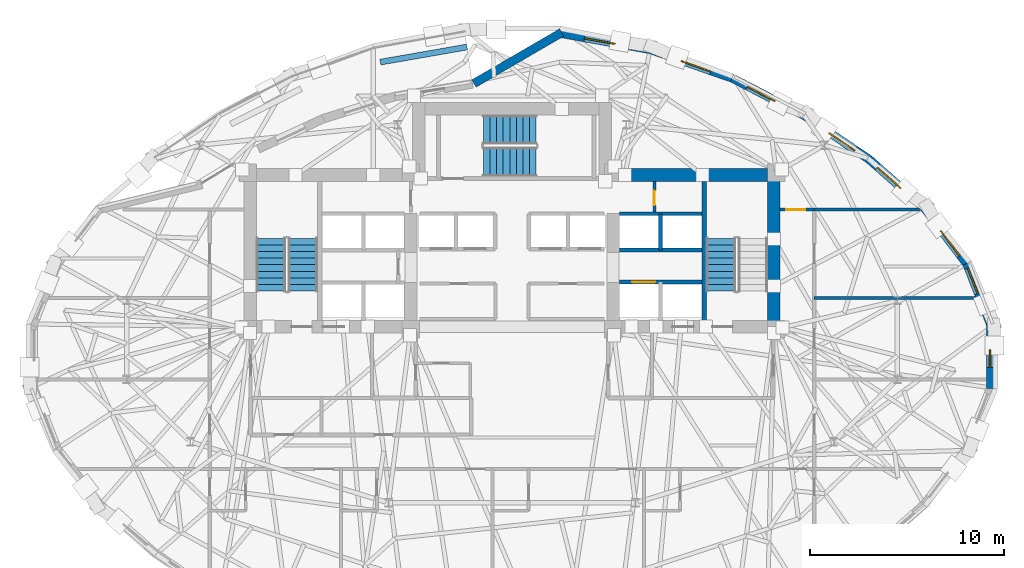
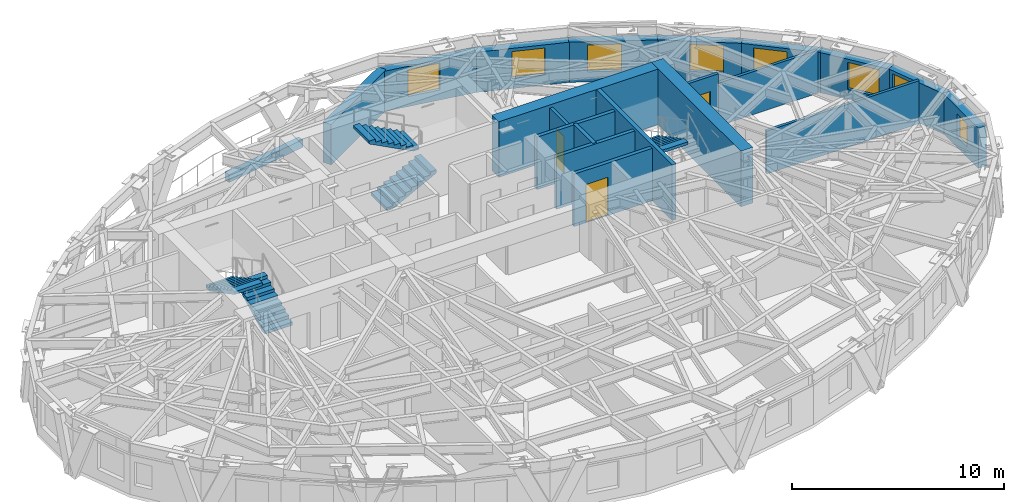
# One storey, part 10 of 14: 21 walls, 8 windows, 5 stair flights, 3 doors, 11 openings, 3 elements without a shape of their own.
"""IFC4 building model written with IfcOpenShell, lengths in metres."""

import ifcopenshell
import ifcopenshell.guid

model = None  # the IFC model being written
_history = None  # IfcOwnerHistory: only IFC2X3 demands one
_inside = {}  # id of a spatial element -> (the spatial element, [elements in it])
_under = {}  # id of a project, library or spatial element -> (it, [spatial elements below it])
_declared = {}  # id of a project -> (the project, [libraries it declares])
_typed = {}  # id of a type object -> (the type object, [elements of that type])
_made_of = {}  # id of a material, layer set ... -> (it, [elements and type objects made of it])


def new_model(schema):
    """Start an empty IFC model of exactly this schema.

    Asked for "IFC4X3", IfcOpenShell would pick the latest addendum, in which some entities
    have other attributes; the version numbers below select the first issue.
    IFC2X3 requires an IfcOwnerHistory on every rooted entity: one is made here for all.
    """
    global model, _history
    if schema == "IFC4X3":
        model = ifcopenshell.file(schema_version=(4, 3, 0, 0))
    else:
        model = ifcopenshell.file(schema=schema)
    _inside.clear()
    _under.clear()
    _declared.clear()
    _typed.clear()
    _made_of.clear()
    _history = None
    if model.schema == "IFC2X3":
        org = make("IfcOrganization", Name="unknown")
        user = make(
            "IfcPersonAndOrganization",
            ThePerson=make("IfcPerson", FamilyName="unknown"),
            TheOrganization=org,
        )
        app = make(
            "IfcApplication",
            ApplicationDeveloper=org,
            Version="unknown",
            ApplicationFullName="unknown",
            ApplicationIdentifier="unknown",
        )
        _history = make(
            "IfcOwnerHistory",
            OwningUser=user,
            OwningApplication=app,
            ChangeAction="ADDED",
            CreationDate=0,
        )
    return model


def make(cls, **values):
    """One entity of the class cls with the attributes given. An attribute that is None is left unset."""
    return model.create_entity(
        cls, **{name: value for name, value in values.items() if value is not None}
    )


def rooted(cls, **values):
    """An entity with a GlobalId (a new one), such as an element, a storey or a relation."""
    return make(cls, GlobalId=ifcopenshell.guid.new(), OwnerHistory=_history, **values)


def si_unit(unit_type, name, prefix=None):
    """IfcSIUnit, for example si_unit("LENGTHUNIT", "METRE", prefix="MILLI")."""
    return make("IfcSIUnit", UnitType=unit_type, Prefix=prefix, Name=name)


def assignment(units):
    """IfcUnitAssignment: the units of a project."""
    return None if units is None else make("IfcUnitAssignment", Units=units)


def point(xyz):
    """IfcCartesianPoint."""
    return None if xyz is None else make("IfcCartesianPoint", Coordinates=xyz)


def direction(xyz):
    """IfcDirection."""
    return None if xyz is None else make("IfcDirection", DirectionRatios=xyz)


def frame(location, z_axis=None, x_axis=None):
    """IfcAxis2Placement3D, a coordinate frame: its origin and axes. An axis left out is left unset."""
    return make(
        "IfcAxis2Placement3D",
        Location=point(location),
        Axis=direction(z_axis),
        RefDirection=direction(x_axis),
    )


def frame_2d(location, x_axis=None):
    """IfcAxis2Placement2D, a coordinate frame in the plane: its origin and x axis."""
    return make(
        "IfcAxis2Placement2D", Location=point(location), RefDirection=direction(x_axis)
    )


def origin():
    """The frame at (0, 0, 0) with its axes left unset."""
    return frame((0.0, 0.0, 0.0))


def place(relative_to, where):
    """IfcLocalPlacement: puts the frame where relative to a parent placement (None: the world)."""
    return make(
        "IfcLocalPlacement", PlacementRelTo=relative_to, RelativePlacement=where
    )


def context(
    kind, dimensions, precision=None, world=None, true_north=None, identifier=None
):
    """IfcGeometricRepresentationContext, for example the 3D "Model" context."""
    return make(
        "IfcGeometricRepresentationContext",
        ContextIdentifier=identifier,
        ContextType=kind,
        CoordinateSpaceDimension=dimensions,
        Precision=precision,
        WorldCoordinateSystem=world,
        TrueNorth=true_north,
    )


def subcontext(parent, identifier, kind, view, scale=None):
    """IfcGeometricRepresentationSubContext, for example "Body" below "Model"."""
    return make(
        "IfcGeometricRepresentationSubContext",
        ContextIdentifier=identifier,
        ContextType=kind,
        ParentContext=parent,
        TargetScale=scale,
        TargetView=view,
    )


def project(units=None, contexts=None):
    """IfcProject with its units and contexts."""
    return rooted(
        "IfcProject",
        Name="project",
        RepresentationContexts=contexts,
        UnitsInContext=assignment(units),
    )


def spatial(cls, under=None, at=None, **own):
    """A site, building, storey or space (cls), placed at a placement, below another one or the project."""
    s = rooted(cls, ObjectPlacement=at, **own)
    if under is not None:
        _under.setdefault(under.id(), (under, []))[1].append(s)
    return s


def polyline(points):
    """IfcPolyline through the points."""
    return make("IfcPolyline", Points=[point(p) for p in points])


def profile(cls, at=None, kind="AREA", **sizes):
    """A parametric profile (cls). Its sizes go by their IFC names, for example OverallWidth=200.0."""
    return make(cls, ProfileType=kind, Position=at, **sizes)


def rectangle(**sizes):
    """IfcRectangleProfileDef."""
    return profile("IfcRectangleProfileDef", **sizes)


def outline(outer, holes=None, kind="AREA"):
    """IfcArbitraryClosedProfileDef: a profile drawn as a closed curve; with holes, ...WithVoids."""
    if holes is None:
        return make("IfcArbitraryClosedProfileDef", ProfileType=kind, OuterCurve=outer)
    return make(
        "IfcArbitraryProfileDefWithVoids",
        ProfileType=kind,
        OuterCurve=outer,
        InnerCurves=holes,
    )


def extrude(swept, where, along, depth):
    """IfcExtrudedAreaSolid: the profile swept, set in the frame where, extruded along a direction by depth."""
    return make(
        "IfcExtrudedAreaSolid",
        SweptArea=swept,
        Position=where,
        ExtrudedDirection=direction(along),
        Depth=depth,
    )


def shape(context_of_items, identifier, shape_type, items):
    """IfcShapeRepresentation: the items that make up one representation, for example the "Body"."""
    return make(
        "IfcShapeRepresentation",
        ContextOfItems=context_of_items,
        RepresentationIdentifier=identifier,
        RepresentationType=shape_type,
        Items=items,
    )


def material(Name=None, Category=None):
    """IfcMaterial."""
    return make("IfcMaterial", Name=Name, Category=Category)


def layer(
    of_material, thickness, ventilated=None, Name=None, Category=None, Priority=None
):
    """IfcMaterialLayer: one layer of a wall or slab, of a material (None: an air gap)."""
    return make(
        "IfcMaterialLayer",
        Material=of_material,
        LayerThickness=thickness,
        IsVentilated=ventilated,
        Name=Name,
        Category=Category,
        Priority=Priority,
    )


def layer_set(layers, Name=None):
    """IfcMaterialLayerSet."""
    return make("IfcMaterialLayerSet", MaterialLayers=layers, LayerSetName=Name)


def made_of(thing, what):
    """Note that an element or type object is made of a material, layer set ...; save() writes the relation."""
    if what is not None:
        _made_of.setdefault(what.id(), (what, []))[1].append(thing)
    return thing


def type_object(cls, material=None, **own):
    """A type object (cls), such as IfcWallType, which elements share."""
    return made_of(rooted(cls, **own), material)


def element(
    cls,
    number,
    at=None,
    inside=None,
    cuts=None,
    type_object=None,
    material=None,
    context=None,
    identifier="Body",
    shape_type=None,
    held_by="IfcProductDefinitionShape",
    body=None,
    shapes=None,
    **own,
):
    """One element of the class cls, such as IfcWall. Its Tag is "e" and its number.

    at: its placement. inside: the storey or other place that contains it. cuts: it is an
    opening in that element (IfcRelVoidsElement). A single representation is given by context,
    identifier, shape_type and body (its items); several are given by shapes. held_by: the class
    of the entity that holds the representations. save() writes the other relations.
    """
    e = rooted(cls, Tag="e%d" % number, ObjectPlacement=at, **own)
    if body is not None:
        shapes = [shape(context, identifier, shape_type, body)]
    if shapes is not None:
        e.Representation = make(held_by, Representations=shapes)
    if inside is not None:
        _inside.setdefault(inside.id(), (inside, []))[1].append(e)
    if cuts is not None:
        rooted(
            "IfcRelVoidsElement", RelatingBuildingElement=cuts, RelatedOpeningElement=e
        )
    if type_object is not None:
        _typed.setdefault(type_object.id(), (type_object, []))[1].append(e)
    return made_of(e, material)


def fill(opening, filler):
    """IfcRelFillsElement: the door or window that sits in an opening."""
    return rooted(
        "IfcRelFillsElement",
        RelatingOpeningElement=opening,
        RelatedBuildingElement=filler,
    )


def aggregate(whole, parts):
    """IfcRelAggregates: a whole, such as a stair, and the parts it consists of."""
    return rooted("IfcRelAggregates", RelatingObject=whole, RelatedObjects=parts)


def save(model, path):
    """Write the relations noted so far, then the file.

    IfcRelAggregates (storeys below a building ...), IfcRelContainedInSpatialStructure (elements
    in a storey), IfcRelDefinesByType, IfcRelAssociatesMaterial and IfcRelDeclares: one each for
    every whole, place, type object, material and project.
    """
    for whole, parts in _under.values():
        aggregate(whole, parts)
    for where, things in _inside.values():
        rooted(
            "IfcRelContainedInSpatialStructure",
            RelatedElements=things,
            RelatingStructure=where,
        )
    for kind, things in _typed.values():
        rooted("IfcRelDefinesByType", RelatedObjects=things, RelatingType=kind)
    for what, things in _made_of.values():
        rooted("IfcRelAssociatesMaterial", RelatedObjects=things, RelatingMaterial=what)
    for by, libraries in _declared.values():
        rooted("IfcRelDeclares", RelatingContext=by, RelatedDefinitions=libraries)
    model.write(path)


model = new_model("IFC4")

# Units and contexts
model_context = context("Model", 3, precision=1e-05, world=origin(), true_north=direction((0.0, 1.0)))
body_context = subcontext(model_context, "Body", "Model", "MODEL_VIEW")
ifc_project = project(units=[si_unit("LENGTHUNIT", "METRE"), si_unit("AREAUNIT", "SQUARE_METRE"), si_unit("VOLUMEUNIT", "CUBIC_METRE"), si_unit("PLANEANGLEUNIT", "RADIAN"), si_unit("MASSUNIT", "GRAM", prefix="KILO")], contexts=[model_context])

# Site, building, storey
site_placement = place(None, origin())
site = spatial("IfcSite", under=ifc_project, at=site_placement, CompositionType="ELEMENT")
building_placement = place(site_placement, origin())
building = spatial("IfcBuilding", under=site, at=building_placement, Name="Keldmark Tower", CompositionType="ELEMENT")
storey_placement = place(building_placement, frame((0.0, 0.0, 175.800048828125)))
storey = spatial("IfcBuildingStorey", under=building, at=storey_placement, Name="L48", CompositionType="ELEMENT", Elevation=175.800048828125)

# Wall, opening, door
ifc_material_1 = material(Name="Type X Fire-Rated Gypsum Partition Assembly", Category="gypsum")
ifc_layer_1 = layer(ifc_material_1, 0.1650390625)
ifc_layer_set_1 = layer_set([ifc_layer_1], Name="Type X Fire-Rated Gypsum Partition Assembly")
wall_type_1 = type_object("IfcWallType", Name="Rated Partition 165 mm", PredefinedType="PARTITIONING", material=ifc_layer_set_1)
wall_1_placement = place(storey_placement, frame((7.330078125, 7.419921875, 0.0), z_axis=(0.0, 0.0, 1.0), x_axis=(0.0, 1.0, 0.0)))
wall_1 = element("IfcWall", 1, at=wall_1_placement, inside=storey, type_object=wall_type_1, Name="L48 Rated Partition 165 mm CS-NE-W", PredefinedType="PARTITIONING", context=body_context, shape_type="SweptSolid", body=[
    extrude(rectangle(XDim=1.580078125, YDim=0.1650390625, at=frame_2d((0.7900390625, 0.0))), origin(), (0.0, 0.0, 1.0), 3.02001953125),
])
opening_1_placement = place(wall_1_placement, frame((0.35009765625, 0.0, 0.0)))
opening_1 = element("IfcOpeningElement", 2, at=opening_1_placement, cuts=wall_1, Name="Opening D-RS075", PredefinedType="OPENING", context=body_context, shape_type="SweptSolid", body=[
    extrude(rectangle(XDim=0.75, YDim=2.10009765625, at=frame_2d((0.375, 1.050048828125))), frame((0.0, 0.092529296875, 0.0), z_axis=(0.0, -1.0, 0.0), x_axis=(1.0, 0.0, 0.0)), (0.0, 0.0, 1.0), 0.18505859375),
])
ifc_material_2 = material(Name="Galvanized Fire-Rated Access Leaf", Category="metal")
door_type_1 = type_object("IfcDoorType", Name="Riser Access Door 750x2100", OperationType="NOTDEFINED", PredefinedType="DOOR", material=ifc_material_2)
door_1_placement = place(opening_1_placement, origin())
door_1 = element("IfcDoor", 3, at=door_1_placement, inside=storey, type_object=door_type_1, Name="L48 Riser Access Door 750x2100 D-CSNE1-L48", OperationType="SINGLE_SWING_LEFT", OverallHeight=2.10009765625, OverallWidth=0.75, PredefinedType="DOOR", context=body_context, shape_type="SweptSolid", body=[
    extrude(rectangle(XDim=0.75, YDim=2.10009765625, at=frame_2d((0.375, 1.050048828125))), frame((0.0, 0.02490234375, 0.0), z_axis=(0.0, -1.0, 0.0), x_axis=(1.0, 0.0, 0.0)), (0.0, 0.0, 1.0), 0.050048828125),
])
fill(opening_1, door_1)

wall_2_placement = place(storey_placement, frame((13.800048828125, 7.550048828125, 0.0), z_axis=(0.0, 0.0, 1.0), x_axis=(1.0, 0.0, 0.0)))
wall_2 = element("IfcWall", 4, at=wall_2_placement, inside=storey, type_object=wall_type_1, Name="L48 Rated Partition 165 mm HCOR-EN", PredefinedType="PARTITIONING", context=body_context, shape_type="SweptSolid", body=[
    extrude(rectangle(XDim=1.75, YDim=0.1650390625, at=frame_2d((0.875, 0.0))), origin(), (0.0, 0.0, 1.0), 3.02001953125),
])
opening_2_placement = place(wall_2_placement, frame((0.300048828125, 0.0, 0.0)))
opening_2 = element("IfcOpeningElement", 5, at=opening_2_placement, cuts=wall_2, Name="Opening D-FD100", PredefinedType="OPENING", context=body_context, shape_type="SweptSolid", body=[
    extrude(rectangle(XDim=1.0, YDim=2.14990234375, at=frame_2d((0.5, 1.074951171875))), frame((0.0, 0.092529296875, 0.0), z_axis=(0.0, -1.0, 0.0), x_axis=(1.0, 0.0, 0.0)), (0.0, 0.0, 1.0), 0.18505859375),
])
ifc_material_3 = material(Name="Hollow Metal Fire-Rated Corridor Door", Category="metal")
door_type_2 = type_object("IfcDoorType", Name="Fire Door 1000x2150", OperationType="NOTDEFINED", PredefinedType="DOOR", material=ifc_material_3)
door_2_placement = place(opening_2_placement, origin())
door_2 = element("IfcDoor", 6, at=door_2_placement, inside=storey, type_object=door_type_2, Name="L48 Fire Door 1000x2150 D-HNNE-L48", OperationType="SINGLE_SWING_RIGHT", OverallHeight=2.14990234375, OverallWidth=1.0, PredefinedType="DOOR", context=body_context, shape_type="SweptSolid", body=[
    extrude(rectangle(XDim=1.0, YDim=2.14990234375, at=frame_2d((0.5, 1.074951171875))), frame((0.0, 0.02490234375, 0.0), z_axis=(0.0, -1.0, 0.0), x_axis=(1.0, 0.0, 0.0)), (0.0, 0.0, 1.0), 0.050048828125),
])
fill(opening_2, door_2)

ifc_material_4 = material(Name="Fire-Resistant Type X Gypsum Shaftliner Coreboard", Category="gypsum")
ifc_layer_2 = layer(ifc_material_4, 0.199951171875)
ifc_layer_set_2 = layer_set([ifc_layer_2], Name="Fire-Resistant Type X Gypsum Shaftliner Coreboard")
wall_type_2 = type_object("IfcWallType", Name="Shaft Wall 200 mm", PredefinedType="SOLIDWALL", material=ifc_layer_set_2)
wall_3_placement = place(storey_placement, frame((5.52490234375, 3.820068359375, 0.0), z_axis=(0.0, 0.0, 1.0), x_axis=(1.0, 0.0, 0.0)))
wall_3 = element("IfcWall", 7, at=wall_3_placement, inside=storey, type_object=wall_type_2, Name="L48 Shaft Wall 200 mm HW-E-S", PredefinedType="SOLIDWALL", context=body_context, shape_type="SweptSolid", body=[
    extrude(rectangle(XDim=4.255126953125, YDim=0.199951171875, at=frame_2d((2.12744140625, 0.0))), origin(), (0.0, 0.0, 1.0), 3.02001953125),
])
opening_3_placement = place(wall_3_placement, frame((0.64990234375, 0.0, 0.0)))
opening_3 = element("IfcOpeningElement", 8, at=opening_3_placement, cuts=wall_3, Name="Opening LD-120", PredefinedType="OPENING", context=body_context, shape_type="SweptSolid", body=[
    extrude(rectangle(XDim=1.199951171875, YDim=2.199951171875, at=frame_2d((0.60009765625, 1.10009765625))), frame((0.0, 0.10986328125, 0.0), z_axis=(0.0, -1.0, 0.0), x_axis=(1.0, 0.0, 0.0)), (0.0, 0.0, 1.0), 0.219970703125),
])
ifc_material_5 = material(Name="Heavy-Duty Brushed Metal Hoistway Sliding Leaf", Category="metal")
door_type_3 = type_object("IfcDoorType", Name="Service Lift Sliding Door 1200x2200", OperationType="SLIDING_TO_RIGHT", PredefinedType="DOOR", material=ifc_material_5)
door_3_placement = place(opening_3_placement, origin())
door_3 = element("IfcDoor", 9, at=door_3_placement, inside=storey, type_object=door_type_3, Name="L48 Service Lift Sliding Door 1200x2200 LD-EL-SV1-L48", OperationType="SLIDING_TO_RIGHT", OverallHeight=2.199951171875, OverallWidth=1.199951171875, PredefinedType="DOOR", context=body_context, shape_type="SweptSolid", body=[
    extrude(rectangle(XDim=1.199951171875, YDim=2.199951171875, at=frame_2d((0.60009765625, 1.10009765625))), frame((0.0, 0.02490234375, 0.0), z_axis=(0.0, -1.0, 0.0), x_axis=(1.0, 0.0, 0.0)), (0.0, 0.0, 1.0), 0.050048828125),
])
fill(opening_3, door_3)

# Walls
for number, where, z_axis, x_axis, name in (
    (10, (5.52490234375, 5.469970703125, 0.0), (0.0, 0.0, 1.0), (1.0, 0.0, 0.0), "L48 Shaft Wall 200 mm HW-E-N"),
    (11, (5.52490234375, 7.330078125, 0.0), (0.0, 0.0, 1.0), (1.0, 0.0, 0.0), "L48 Shaft Wall 200 mm HW-E-TOP"),
):
    element("IfcWall", number, at=place(storey_placement, frame(where, z_axis=z_axis, x_axis=x_axis)), inside=storey, type_object=wall_type_2, Name=name, PredefinedType="SOLIDWALL", context=body_context, shape_type="SweptSolid", body=[
        extrude(rectangle(XDim=4.255126953125, YDim=0.199951171875, at=frame_2d((2.12744140625, 0.0))), origin(), (0.0, 0.0, 1.0), 3.02001953125),
    ])
wall_4_placement = place(storey_placement, frame((7.64990234375, 5.469970703125, 0.0), z_axis=(0.0, 0.0, 1.0), x_axis=(0.0, 1.0, 0.0)))
element("IfcWall", 12, at=wall_4_placement, inside=storey, type_object=wall_type_2, Name="L48 Shaft Wall 200 mm HW-E-NM", PredefinedType="SOLIDWALL", context=body_context, shape_type="SweptSolid", body=[
    extrude(rectangle(XDim=1.860107421875, YDim=0.199951171875, at=frame_2d((0.93017578125, 0.0))), origin(), (0.0, 0.0, 1.0), 3.02001953125),
])
ifc_material_6 = material(Name="Concrete C50/60", Category="concrete")
ifc_layer_3 = layer(ifc_material_6, 0.219970703125)
ifc_layer_set_3 = layer_set([ifc_layer_3], Name="Concrete C50/60")
wall_type_3 = type_object("IfcWallType", Name="Stair Core Shear Wall 220 mm", PredefinedType="SHEAR", material=ifc_layer_set_3)
wall_5_placement = place(storey_placement, frame((9.889892578125, 1.85009765625, 0.0), z_axis=(0.0, 0.0, 1.0), x_axis=(0.0, 1.0, 0.0)))
element("IfcWall", 13, at=wall_5_placement, inside=storey, type_object=wall_type_3, Name="L48 East Stair Core Shear Wall", PredefinedType="SHEAR", context=body_context, shape_type="SweptSolid", body=[
    extrude(rectangle(XDim=7.14990234375, YDim=0.219970703125, at=frame_2d((3.574951171875, 0.0))), origin(), (0.0, 0.0, 1.0), 3.199951171875),
])
ifc_material_7 = material(Name="Ironspot Manganese Brick Planter Masonry", Category="masonry")
ifc_layer_4 = layer(ifc_material_7, 0.300048828125)
ifc_layer_set_4 = layer_set([ifc_layer_4], Name="Ironspot Manganese Brick Planter Masonry")
wall_type_4 = type_object("IfcWallType", Name="Terrace Brick Planter Kerb Wall 300 mm", PredefinedType="PARAPET", material=ifc_layer_set_4)
wall_6_placement = place(storey_placement, frame((-2.3115234375, 15.90966796875, 0.0), z_axis=(0.0, 0.0, 1.0), x_axis=(-0.985166598795, -0.171600619519, 0.0)))
element("IfcWall", 14, at=wall_6_placement, inside=storey, type_object=wall_type_4, Name="L48 Sky Garden Planter 01", PredefinedType="PARAPET", context=body_context, shape_type="SweptSolid", body=[
    extrude(rectangle(XDim=4.527099609375, YDim=0.300048828125, at=frame_2d((2.263671875, 0.0))), origin(), (0.0, 0.0, 1.0), 0.449951171875),
])

# Wall, opening, window
ifc_material_8 = material(Name="Ironspot Manganese Brick and Kasota Buff Limestone Spandrel Assembly", Category="masonry")
ifc_layer_5 = layer(ifc_material_8, 0.43994140625)
ifc_layer_set_5 = layer_set([ifc_layer_5], Name="Ironspot Manganese Brick and Kasota Buff Limestone Spandrel Assembly")
wall_type_5 = type_object("IfcWallType", Name="Tower Brick Pier and Spandrel Wall 440 mm", PredefinedType="STANDARD", material=ifc_layer_set_5)
wall_7_placement = place(storey_placement, frame((23.39697265625, 4.773193359375, 0.0), z_axis=(0.0, 0.0, 1.0), x_axis=(0.365421225195, -0.930842268151, 0.0)))
wall_7 = element("IfcWall", 15, at=wall_7_placement, inside=storey, type_object=wall_type_5, Name="L48 Exterior Brick and Spandrel Wall 01", PredefinedType="STANDARD", context=body_context, shape_type="SweptSolid", body=[
    extrude(rectangle(XDim=3.431396484375, YDim=0.43994140625, at=frame_2d((1.7158203125, 0.0))), origin(), (0.0, 0.0, 1.0), 2.31494140625),
])
opening_4_placement = place(wall_7_placement, frame((0.24951171875, 0.0, 0.580078125)))
opening_4 = element("IfcOpeningElement", 16, at=opening_4_placement, cuts=wall_7, Name="Opening W-08", PredefinedType="OPENING", context=body_context, shape_type="SweptSolid", body=[
    extrude(rectangle(XDim=1.39990234375, YDim=1.550048828125, at=frame_2d((0.699951171875, 0.77490234375))), frame((0.0, 0.22998046875, 0.0), z_axis=(0.0, -1.0, 0.0), x_axis=(1.0, 0.0, 0.0)), (0.0, 0.0, 1.0), 0.4599609375),
])
ifc_material_9 = material(Name="Thermally Broken Anodized Aluminum and Triple Low-E Argon Glazing", Category="aluminium")
window_type_1 = type_object("IfcWindowType", Name="Residential Corner Punched Window 1400x1550", PartitioningType="SINGLE_PANEL", PredefinedType="WINDOW", material=ifc_material_9)
window_1_placement = place(opening_4_placement, origin())
window_1 = element("IfcWindow", 17, at=window_1_placement, inside=storey, type_object=window_type_1, Name="L48 Deep-Set Window 01", OverallHeight=1.550048828125, OverallWidth=1.39990234375, PartitioningType="SINGLE_PANEL", PredefinedType="WINDOW", context=body_context, shape_type="SweptSolid", body=[
    extrude(rectangle(XDim=1.39990234375, YDim=1.550048828125, at=frame_2d((0.699951171875, 0.77490234375))), frame((0.0, -0.010009765625, 0.0), z_axis=(0.0, -1.0, 0.0), x_axis=(1.0, 0.0, 0.0)), (0.0, 0.0, 1.0), 0.06005859375),
])
fill(opening_4, window_1)

wall_8_placement = place(storey_placement, frame((21.22509765625, 7.621337890625, 0.0), z_axis=(0.0, 0.0, 1.0), x_axis=(0.604517065871, -0.796592189939, 0.0)))
wall_8 = element("IfcWall", 18, at=wall_8_placement, inside=storey, type_object=wall_type_5, Name="L48 Exterior Brick and Spandrel Wall 02", PredefinedType="STANDARD", context=body_context, shape_type="SweptSolid", body=[
    extrude(rectangle(XDim=3.6416015625, YDim=0.43994140625, at=frame_2d((1.82080078125, 0.0))), origin(), (0.0, 0.0, 1.0), 2.31494140625),
])
opening_5_placement = place(wall_8_placement, frame((1.443603515625, 0.0, 0.580078125)))
opening_5 = element("IfcOpeningElement", 19, at=opening_5_placement, cuts=wall_8, Name="Opening W-04", PredefinedType="OPENING", context=body_context, shape_type="SweptSolid", body=[
    extrude(rectangle(XDim=1.60009765625, YDim=1.550048828125, at=frame_2d((0.800048828125, 0.77490234375))), frame((0.0, 0.22998046875, 0.0), z_axis=(0.0, -1.0, 0.0), x_axis=(1.0, 0.0, 0.0)), (0.0, 0.0, 1.0), 0.4599609375),
])
ifc_material_10 = material(Name="Thermally Broken Anodized Aluminum and Triple Low-E Argon Glazing", Category="aluminium")
window_type_2 = type_object("IfcWindowType", Name="Hotel Deep-Set Operable Window 1600x1550", PartitioningType="DOUBLE_PANEL_HORIZONTAL", PredefinedType="WINDOW", material=ifc_material_10)
window_2_placement = place(opening_5_placement, origin())
window_2 = element("IfcWindow", 20, at=window_2_placement, inside=storey, type_object=window_type_2, Name="L48 Deep-Set Window 02", OverallHeight=1.550048828125, OverallWidth=1.60009765625, PartitioningType="SINGLE_PANEL", PredefinedType="WINDOW", context=body_context, shape_type="SweptSolid", body=[
    extrude(rectangle(XDim=1.60009765625, YDim=1.550048828125, at=frame_2d((0.800048828125, 0.77490234375))), frame((0.0, -0.010009765625, 0.0), z_axis=(0.0, -1.0, 0.0), x_axis=(1.0, 0.0, 0.0)), (0.0, 0.0, 1.0), 0.06005859375),
])
fill(opening_5, window_2)

wall_9_placement = place(storey_placement, frame((18.37060546875, 10.136474609375, 0.0), z_axis=(0.0, 0.0, 1.0), x_axis=(0.749530401757, -0.661969921403, 0.0)))
wall_9 = element("IfcWall", 21, at=wall_9_placement, inside=storey, type_object=wall_type_5, Name="L48 Exterior Brick and Spandrel Wall 03", PredefinedType="STANDARD", context=body_context, shape_type="SweptSolid", body=[
    extrude(rectangle(XDim=3.847900390625, YDim=0.43994140625, at=frame_2d((1.923828125, 0.0))), origin(), (0.0, 0.0, 1.0), 2.31494140625),
])
opening_6_placement = place(wall_9_placement, frame((0.599609375, 0.0, 0.580078125)))
opening_6 = element("IfcOpeningElement", 22, at=opening_6_placement, cuts=wall_9, Name="Opening W-04", PredefinedType="OPENING", context=body_context, shape_type="SweptSolid", body=[
    extrude(rectangle(XDim=1.60009765625, YDim=1.550048828125, at=frame_2d((0.800048828125, 0.77490234375))), frame((0.0, 0.22998046875, 0.0), z_axis=(0.0, -1.0, 0.0), x_axis=(1.0, 0.0, 0.0)), (0.0, 0.0, 1.0), 0.4599609375),
])
window_3_placement = place(opening_6_placement, origin())
window_3 = element("IfcWindow", 23, at=window_3_placement, inside=storey, type_object=window_type_2, Name="L48 Deep-Set Window 03", OverallHeight=1.550048828125, OverallWidth=1.60009765625, PartitioningType="SINGLE_PANEL", PredefinedType="WINDOW", context=body_context, shape_type="SweptSolid", body=[
    extrude(rectangle(XDim=1.60009765625, YDim=1.550048828125, at=frame_2d((0.800048828125, 0.77490234375))), frame((0.0, -0.010009765625, 0.0), z_axis=(0.0, -1.0, 0.0), x_axis=(1.0, 0.0, 0.0)), (0.0, 0.0, 1.0), 0.06005859375),
])
fill(opening_6, window_3)

wall_10_placement = place(storey_placement, frame((15.072509765625, 12.3701171875, 0.0), z_axis=(0.0, 0.0, 1.0), x_axis=(0.827746348969, -0.561102469937, 0.0)))
wall_10 = element("IfcWall", 24, at=wall_10_placement, inside=storey, type_object=wall_type_5, Name="L48 Exterior Brick and Spandrel Wall 04", PredefinedType="STANDARD", context=body_context, shape_type="SweptSolid", body=[
    extrude(rectangle(XDim=4.01123046875, YDim=0.43994140625, at=frame_2d((2.005615234375, 0.0))), origin(), (0.0, 0.0, 1.0), 2.31494140625),
])
opening_7_placement = place(wall_10_placement, frame((1.5244140625, 0.0, 0.580078125)))
opening_7 = element("IfcOpeningElement", 25, at=opening_7_placement, cuts=wall_10, Name="Opening W-04", PredefinedType="OPENING", context=body_context, shape_type="SweptSolid", body=[
    extrude(rectangle(XDim=1.60009765625, YDim=1.550048828125, at=frame_2d((0.800048828125, 0.77490234375))), frame((0.0, 0.22998046875, 0.0), z_axis=(0.0, -1.0, 0.0), x_axis=(1.0, 0.0, 0.0)), (0.0, 0.0, 1.0), 0.4599609375),
])
window_4_placement = place(opening_7_placement, origin())
window_4 = element("IfcWindow", 26, at=window_4_placement, inside=storey, type_object=window_type_2, Name="L48 Deep-Set Window 04", OverallHeight=1.550048828125, OverallWidth=1.60009765625, PartitioningType="SINGLE_PANEL", PredefinedType="WINDOW", context=body_context, shape_type="SweptSolid", body=[
    extrude(rectangle(XDim=1.60009765625, YDim=1.550048828125, at=frame_2d((0.800048828125, 0.77490234375))), frame((0.0, -0.010009765625, 0.0), z_axis=(0.0, -1.0, 0.0), x_axis=(1.0, 0.0, 0.0)), (0.0, 0.0, 1.0), 0.06005859375),
])
fill(opening_7, window_4)

wall_11_placement = place(storey_placement, frame((11.337158203125, 14.31201171875, 0.0), z_axis=(0.0, 0.0, 1.0), x_axis=(0.887117685078, -0.461543294634, 0.0)))
wall_11 = element("IfcWall", 27, at=wall_11_placement, inside=storey, type_object=wall_type_5, Name="L48 Exterior Brick and Spandrel Wall 05", PredefinedType="STANDARD", context=body_context, shape_type="SweptSolid", body=[
    extrude(rectangle(XDim=4.2353515625, YDim=0.43994140625, at=frame_2d((2.11767578125, 0.0))), origin(), (0.0, 0.0, 1.0), 2.31494140625),
])
opening_8_placement = place(wall_11_placement, frame((0.8955078125, 0.0, 0.580078125)))
opening_8 = element("IfcOpeningElement", 28, at=opening_8_placement, cuts=wall_11, Name="Opening W-04", PredefinedType="OPENING", context=body_context, shape_type="SweptSolid", body=[
    extrude(rectangle(XDim=1.60009765625, YDim=1.550048828125, at=frame_2d((0.800048828125, 0.77490234375))), frame((0.0, 0.22998046875, 0.0), z_axis=(0.0, -1.0, 0.0), x_axis=(1.0, 0.0, 0.0)), (0.0, 0.0, 1.0), 0.4599609375),
])
window_5_placement = place(opening_8_placement, origin())
window_5 = element("IfcWindow", 29, at=window_5_placement, inside=storey, type_object=window_type_2, Name="L48 Deep-Set Window 05", OverallHeight=1.550048828125, OverallWidth=1.60009765625, PartitioningType="SINGLE_PANEL", PredefinedType="WINDOW", context=body_context, shape_type="SweptSolid", body=[
    extrude(rectangle(XDim=1.60009765625, YDim=1.550048828125, at=frame_2d((0.800048828125, 0.77490234375))), frame((0.0, -0.010009765625, 0.0), z_axis=(0.0, -1.0, 0.0), x_axis=(1.0, 0.0, 0.0)), (0.0, 0.0, 1.0), 0.06005859375),
])
fill(opening_8, window_5)

wall_12_placement = place(storey_placement, frame((7.0869140625, 15.7919921875, 0.0), z_axis=(0.0, 0.0, 1.0), x_axis=(0.944223944927, -0.329304026434, 0.0)))
wall_12 = element("IfcWall", 30, at=wall_12_placement, inside=storey, type_object=wall_type_5, Name="L48 Exterior Brick and Spandrel Wall 06", PredefinedType="STANDARD", context=body_context, shape_type="SweptSolid", body=[
    extrude(rectangle(XDim=4.531982421875, YDim=0.43994140625, at=frame_2d((2.26611328125, 0.0))), origin(), (0.0, 0.0, 1.0), 2.31494140625),
])
opening_9_placement = place(wall_12_placement, frame((1.739013671875, 0.0, 0.580078125)))
opening_9 = element("IfcOpeningElement", 31, at=opening_9_placement, cuts=wall_12, Name="Opening W-04", PredefinedType="OPENING", context=body_context, shape_type="SweptSolid", body=[
    extrude(rectangle(XDim=1.60009765625, YDim=1.550048828125, at=frame_2d((0.800048828125, 0.77490234375))), frame((0.0, 0.22998046875, 0.0), z_axis=(0.0, -1.0, 0.0), x_axis=(1.0, 0.0, 0.0)), (0.0, 0.0, 1.0), 0.4599609375),
])
window_6_placement = place(opening_9_placement, origin())
window_6 = element("IfcWindow", 32, at=window_6_placement, inside=storey, type_object=window_type_2, Name="L48 Deep-Set Window 06", OverallHeight=1.550048828125, OverallWidth=1.60009765625, PartitioningType="SINGLE_PANEL", PredefinedType="WINDOW", context=body_context, shape_type="SweptSolid", body=[
    extrude(rectangle(XDim=1.60009765625, YDim=1.550048828125, at=frame_2d((0.800048828125, 0.77490234375))), frame((0.0, -0.010009765625, 0.0), z_axis=(0.0, -1.0, 0.0), x_axis=(1.0, 0.0, 0.0)), (0.0, 0.0, 1.0), 0.06005859375),
])
fill(opening_9, window_6)

wall_13_placement = place(storey_placement, frame((2.408935546875, 16.63330078125, 0.0), z_axis=(0.0, 0.0, 1.0), x_axis=(0.984108907768, -0.177565924803, 0.0)))
wall_13 = element("IfcWall", 33, at=wall_13_placement, inside=storey, type_object=wall_type_5, Name="L48 Exterior Brick and Spandrel Wall 07", PredefinedType="STANDARD", context=body_context, shape_type="SweptSolid", body=[
    extrude(rectangle(XDim=4.78759765625, YDim=0.43994140625, at=frame_2d((2.393798828125, 0.0))), origin(), (0.0, 0.0, 1.0), 2.31494140625),
])
opening_10_placement = place(wall_13_placement, frame((1.3447265625, 0.0, 0.580078125)))
opening_10 = element("IfcOpeningElement", 34, at=opening_10_placement, cuts=wall_13, Name="Opening W-04", PredefinedType="OPENING", context=body_context, shape_type="SweptSolid", body=[
    extrude(rectangle(XDim=1.60009765625, YDim=1.550048828125, at=frame_2d((0.800048828125, 0.77490234375))), frame((0.0, 0.22998046875, 0.0), z_axis=(0.0, -1.0, 0.0), x_axis=(1.0, 0.0, 0.0)), (0.0, 0.0, 1.0), 0.4599609375),
])
window_7_placement = place(opening_10_placement, origin())
window_7 = element("IfcWindow", 35, at=window_7_placement, inside=storey, type_object=window_type_2, Name="L48 Deep-Set Window 07", OverallHeight=1.550048828125, OverallWidth=1.60009765625, PartitioningType="SINGLE_PANEL", PredefinedType="WINDOW", context=body_context, shape_type="SweptSolid", body=[
    extrude(rectangle(XDim=1.60009765625, YDim=1.550048828125, at=frame_2d((0.800048828125, 0.77490234375))), frame((0.0, -0.010009765625, 0.0), z_axis=(0.0, -1.0, 0.0), x_axis=(1.0, 0.0, 0.0)), (0.0, 0.0, 1.0), 0.06005859375),
])
fill(opening_10, window_7)

# Wall
wall_14_placement = place(storey_placement, frame((-1.95654296875, 14.037109375, 0.0), z_axis=(0.0, 0.0, 1.0), x_axis=(0.864737199239, 0.502224627286, 0.0)))
element("IfcWall", 36, at=wall_14_placement, inside=storey, type_object=wall_type_5, Name="L48 Exterior Brick and Spandrel Wall 08", PredefinedType="STANDARD", context=body_context, shape_type="SweptSolid", body=[
    extrude(rectangle(XDim=5.221435546875, YDim=0.43994140625, at=frame_2d((2.61083984375, 0.0))), origin(), (0.0, 0.0, 1.0), 2.31884765625),
])

# Wall, opening, window
wall_15_placement = place(storey_placement, frame((24.635498046875, 1.659423828125, 0.0), z_axis=(0.0, 0.0, 1.0), x_axis=(0.0, -1.0, 0.0)))
wall_15 = element("IfcWall", 37, at=wall_15_placement, inside=storey, type_object=wall_type_5, Name="L48 Exterior Brick and Spandrel Wall 32", PredefinedType="STANDARD", context=body_context, shape_type="SweptSolid", body=[
    extrude(rectangle(XDim=3.31884765625, YDim=0.43994140625, at=frame_2d((1.659423828125, 0.0))), origin(), (0.0, 0.0, 1.0), 2.31494140625),
])
opening_11_placement = place(wall_15_placement, frame((1.33251953125, 0.0, 0.580078125)))
opening_11 = element("IfcOpeningElement", 38, at=opening_11_placement, cuts=wall_15, Name="Opening W-09", PredefinedType="OPENING", context=body_context, shape_type="SweptSolid", body=[
    extrude(rectangle(XDim=0.89990234375, YDim=1.35009765625, at=frame_2d((0.449951171875, 0.675048828125))), frame((0.0, 0.22998046875, 0.0), z_axis=(0.0, -1.0, 0.0), x_axis=(1.0, 0.0, 0.0)), (0.0, 0.0, 1.0), 0.4599609375),
])
ifc_material_11 = material(Name="Thermally Broken Anodized Aluminum and Triple Low-E Argon Glazing", Category="aluminium")
window_type_3 = type_object("IfcWindowType", Name="Corner Pier Deep-Set Window 900x1350", PartitioningType="SINGLE_PANEL", PredefinedType="WINDOW", material=ifc_material_11)
window_8_placement = place(opening_11_placement, origin())
window_8 = element("IfcWindow", 39, at=window_8_placement, inside=storey, type_object=window_type_3, Name="L48 Deep-Set Window 32", OverallHeight=1.35009765625, OverallWidth=0.89990234375, PartitioningType="SINGLE_PANEL", PredefinedType="WINDOW", context=body_context, shape_type="SweptSolid", body=[
    extrude(rectangle(XDim=0.89990234375, YDim=1.35009765625, at=frame_2d((0.449951171875, 0.675048828125))), frame((0.0, -0.010009765625, 0.0), z_axis=(0.0, -1.0, 0.0), x_axis=(1.0, 0.0, 0.0)), (0.0, 0.0, 1.0), 0.06005859375),
])
fill(opening_11, window_8)

# Walls
ifc_material_12 = material(Name="Concrete C50/60", Category="concrete")
ifc_layer_6 = layer(ifc_material_12, 0.64990234375)
ifc_layer_set_6 = layer_set([ifc_layer_6], Name="Concrete C50/60")
wall_type_6 = type_object("IfcWallType", Name="Upper-Mid Core Shear Wall 650 mm", PredefinedType="SHEAR", material=ifc_layer_set_6)
wall_16_placement = place(storey_placement, frame((13.47509765625, 1.199951171875, 0.0), z_axis=(0.0, 0.0, 1.0), x_axis=(0.0, 1.0, 0.0)))
element("IfcWall", 40, at=wall_16_placement, inside=storey, type_object=wall_type_6, Name="L48 East Core Outer Shear Wall", PredefinedType="SHEAR", context=body_context, shape_type="SweptSolid", body=[
    extrude(rectangle(XDim=8.449951171875, YDim=0.64990234375, at=frame_2d((4.22509765625, 0.0))), origin(), (0.0, 0.0, 1.0), 3.199951171875),
])
wall_17_placement = place(storey_placement, frame((4.47509765625, 9.324951171875, 0.0), z_axis=(0.0, 0.0, 1.0), x_axis=(1.0, 0.0, 0.0)))
element("IfcWall", 41, at=wall_17_placement, inside=storey, type_object=wall_type_6, Name="L48 East Core North Shear Wall", PredefinedType="SHEAR", context=body_context, shape_type="SweptSolid", body=[
    extrude(rectangle(XDim=9.324951171875, YDim=0.64990234375, at=frame_2d((4.66259765625, 0.0))), origin(), (0.0, 0.0, 1.0), 3.199951171875),
])
ifc_material_13 = material(Name="Moisture-Resistant Gypsum Plumbing Partition", Category="gypsum")
ifc_layer_7 = layer(ifc_material_13, 0.14990234375)
ifc_layer_set_7 = layer_set([ifc_layer_7], Name="Moisture-Resistant Gypsum Plumbing Partition")
wall_type_7 = type_object("IfcWallType", Name="Wet Wall 150 mm", PredefinedType="PLUMBINGWALL", material=ifc_layer_set_7)
wall_18_placement = place(storey_placement, frame((15.550048828125, 7.550048828125, 0.0), z_axis=(0.0, 0.0, 1.0), x_axis=(1.0, 0.0, 0.0)))
element("IfcWall", 42, at=wall_18_placement, inside=storey, type_object=wall_type_7, Name="L48 Wet Wall 150 mm HE-CAP-N", PredefinedType="PLUMBINGWALL", context=body_context, shape_type="SweptSolid", body=[
    extrude(rectangle(XDim=5.40478515625, YDim=0.14990234375, at=frame_2d((2.702392578125, 0.0))), origin(), (0.0, 0.0, 1.0), 2.472900390625),
])
wall_19_placement = place(storey_placement, frame((15.550048828125, 3.0, 0.0), z_axis=(0.0, 0.0, 1.0), x_axis=(1.0, 0.0, 0.0)))
element("IfcWall", 43, at=wall_19_placement, inside=storey, type_object=wall_type_7, Name="L48 Wet Wall 150 mm HE-DIV-2", PredefinedType="PLUMBINGWALL", context=body_context, shape_type="SweptSolid", body=[
    extrude(rectangle(XDim=8.298095703125, YDim=0.14990234375, at=frame_2d((4.14892578125, 0.0))), origin(), (0.0, 0.0, 1.0), 2.472900390625),
])

# Stair, stair flights
ifc_material_14 = material(Name="Concrete C40/50", Category="concrete")
stair_type = type_object("IfcStairType", Name="Precast Concrete Core Exit Stair", PredefinedType="HALF_TURN_STAIR", material=ifc_material_14)
stair_1_placement = place(storey_placement, origin())
stair_1 = element("IfcStair", 44, at=stair_1_placement, inside=storey, type_object=stair_type, Name="L48 Exit Stair ST1", PredefinedType="HALF_TURN_STAIR")
ifc_material_15 = material(Name="Concrete C40/50", Category="concrete")
stair_flight_type = type_object("IfcStairFlightType", Name="Precast Concrete Stair Flight 1500 mm", PredefinedType="STRAIGHT", material=ifc_material_15)
stair_flight_1_placement = place(storey_placement, frame((-10.75, 3.35009765625, 0.0), z_axis=(0.0, 0.0, 1.0), x_axis=(0.0, 1.0, 0.0)))
stair_flight_1 = element("IfcStairFlight", 45, at=stair_flight_1_placement, type_object=stair_flight_type, Name="ST1 flight 1", NumberOfRisers=9, NumberOfTreads=8, PredefinedType="STRAIGHT", RiserHeight=0.177777778, TreadLength=0.34, context=body_context, shape_type="SweptSolid", body=[
    extrude(outline(polyline([(0.0, 0.0), (0.0, 0.177734375), (0.340087890625, 0.177734375), (0.340087890625, 0.35546875), (0.679931640625, 0.35546875), (0.679931640625, 0.533447265625), (1.02001953125, 0.533447265625), (1.02001953125, 0.711181640625), (1.360107421875, 0.711181640625), (1.360107421875, 0.888916015625), (1.699951171875, 0.888916015625), (1.699951171875, 1.066650390625), (2.0400390625, 1.066650390625), (2.0400390625, 1.244384765625), (2.3798828125, 1.244384765625), (2.3798828125, 1.422119140625), (2.719970703125, 1.422119140625), (2.719970703125, 1.60009765625), (2.719970703125, 1.253173828125), (0.323486328125, 0.0), (0.0, 0.0)])), frame((0.0, 0.75, 0.0), z_axis=(0.0, -1.0, 0.0), x_axis=(1.0, 0.0, 0.0)), (0.0, 0.0, 1.0), 1.5),
])
stair_flight_2_placement = place(storey_placement, frame((-12.39990234375, 6.070068359375, 1.599853515625), z_axis=(0.0, 0.0, 1.0), x_axis=(0.0, -1.0, 0.0)))
stair_flight_2 = element("IfcStairFlight", 46, at=stair_flight_2_placement, type_object=stair_flight_type, Name="ST1 flight 2", NumberOfRisers=9, NumberOfTreads=8, PredefinedType="STRAIGHT", RiserHeight=0.177777778, TreadLength=0.34, context=body_context, shape_type="SweptSolid", body=[
    extrude(outline(polyline([(0.0, 0.0), (0.0, 0.177734375), (0.340087890625, 0.177734375), (0.340087890625, 0.35546875), (0.679931640625, 0.35546875), (0.679931640625, 0.533447265625), (1.02001953125, 0.533447265625), (1.02001953125, 0.711181640625), (1.360107421875, 0.711181640625), (1.360107421875, 0.888916015625), (1.699951171875, 0.888916015625), (1.699951171875, 1.066650390625), (2.0400390625, 1.066650390625), (2.0400390625, 1.244384765625), (2.3798828125, 1.244384765625), (2.3798828125, 1.422119140625), (2.719970703125, 1.422119140625), (2.719970703125, 1.60009765625), (2.719970703125, 1.253173828125), (0.323486328125, 0.0), (0.0, 0.0)])), frame((0.0, 0.75, 0.0), z_axis=(0.0, -1.0, 0.0), x_axis=(1.0, 0.0, 0.0)), (0.0, 0.0, 1.0), 1.5),
])
aggregate(stair_1, [stair_flight_1, stair_flight_2])

# Stair, stair flight
stair_2_placement = place(storey_placement, origin())
stair_2 = element("IfcStair", 47, at=stair_2_placement, inside=storey, type_object=stair_type, Name="L48 Exit Stair ST2", PredefinedType="HALF_TURN_STAIR")
stair_flight_3_placement = place(storey_placement, frame((10.75, 6.070068359375, 1.599853515625), z_axis=(0.0, 0.0, 1.0), x_axis=(0.0, -1.0, 0.0)))
stair_flight_3 = element("IfcStairFlight", 48, at=stair_flight_3_placement, type_object=stair_flight_type, Name="ST2 flight 2", NumberOfRisers=9, NumberOfTreads=8, PredefinedType="STRAIGHT", RiserHeight=0.177777778, TreadLength=0.34, context=body_context, shape_type="SweptSolid", body=[
    extrude(outline(polyline([(0.0, 0.0), (0.0, 0.177734375), (0.340087890625, 0.177734375), (0.340087890625, 0.35546875), (0.679931640625, 0.35546875), (0.679931640625, 0.533447265625), (1.02001953125, 0.533447265625), (1.02001953125, 0.711181640625), (1.360107421875, 0.711181640625), (1.360107421875, 0.888916015625), (1.699951171875, 0.888916015625), (1.699951171875, 1.066650390625), (2.0400390625, 1.066650390625), (2.0400390625, 1.244384765625), (2.3798828125, 1.244384765625), (2.3798828125, 1.422119140625), (2.719970703125, 1.422119140625), (2.719970703125, 1.60009765625), (2.719970703125, 1.253173828125), (0.323486328125, 0.0), (0.0, 0.0)])), frame((0.0, 0.75, 0.0), z_axis=(0.0, -1.0, 0.0), x_axis=(1.0, 0.0, 0.0)), (0.0, 0.0, 1.0), 1.5),
])
aggregate(stair_2, [stair_flight_3])

# Stair, stair flights
stair_3_placement = place(storey_placement, origin())
stair_3 = element("IfcStair", 49, at=stair_3_placement, inside=storey, type_object=stair_type, Name="L48 Exit Stair ST3", PredefinedType="HALF_TURN_STAIR")
stair_flight_4_placement = place(storey_placement, frame((-1.47509765625, 10.0, 0.0), z_axis=(0.0, 0.0, 1.0), x_axis=(1.0, 0.0, 0.0)))
stair_flight_4 = element("IfcStairFlight", 50, at=stair_flight_4_placement, type_object=stair_flight_type, Name="ST3 flight 1", NumberOfRisers=9, NumberOfTreads=8, PredefinedType="STRAIGHT", RiserHeight=0.177777778, TreadLength=0.34, context=body_context, shape_type="SweptSolid", body=[
    extrude(outline(polyline([(0.0, 0.0), (0.0, 0.177734375), (0.340087890625, 0.177734375), (0.340087890625, 0.35546875), (0.679931640625, 0.35546875), (0.679931640625, 0.533447265625), (1.02001953125, 0.533447265625), (1.02001953125, 0.711181640625), (1.360107421875, 0.711181640625), (1.360107421875, 0.888916015625), (1.699951171875, 0.888916015625), (1.699951171875, 1.066650390625), (2.0400390625, 1.066650390625), (2.0400390625, 1.244384765625), (2.3798828125, 1.244384765625), (2.3798828125, 1.422119140625), (2.719970703125, 1.422119140625), (2.719970703125, 1.60009765625), (2.719970703125, 1.253173828125), (0.323486328125, 0.0), (0.0, 0.0)])), frame((0.0, 0.75, 0.0), z_axis=(0.0, -1.0, 0.0), x_axis=(1.0, 0.0, 0.0)), (0.0, 0.0, 1.0), 1.5),
])
stair_flight_5_placement = place(storey_placement, frame((1.2451171875, 11.64990234375, 1.599853515625), z_axis=(0.0, 0.0, 1.0), x_axis=(-1.0, 0.0, 0.0)))
stair_flight_5 = element("IfcStairFlight", 51, at=stair_flight_5_placement, type_object=stair_flight_type, Name="ST3 flight 2", NumberOfRisers=9, NumberOfTreads=8, PredefinedType="STRAIGHT", RiserHeight=0.177777778, TreadLength=0.34, context=body_context, shape_type="SweptSolid", body=[
    extrude(outline(polyline([(0.0, 0.0), (0.0, 0.177734375), (0.340087890625, 0.177734375), (0.340087890625, 0.35546875), (0.679931640625, 0.35546875), (0.679931640625, 0.533447265625), (1.02001953125, 0.533447265625), (1.02001953125, 0.711181640625), (1.360107421875, 0.711181640625), (1.360107421875, 0.888916015625), (1.699951171875, 0.888916015625), (1.699951171875, 1.066650390625), (2.0400390625, 1.066650390625), (2.0400390625, 1.244384765625), (2.3798828125, 1.244384765625), (2.3798828125, 1.422119140625), (2.719970703125, 1.422119140625), (2.719970703125, 1.60009765625), (2.719970703125, 1.253173828125), (0.323486328125, 0.0), (0.0, 0.0)])), frame((0.0, 0.75, 0.0), z_axis=(0.0, -1.0, 0.0), x_axis=(1.0, 0.0, 0.0)), (0.0, 0.0, 1.0), 1.5),
])
aggregate(stair_3, [stair_flight_4, stair_flight_5])

save(model, "model.ifc")
